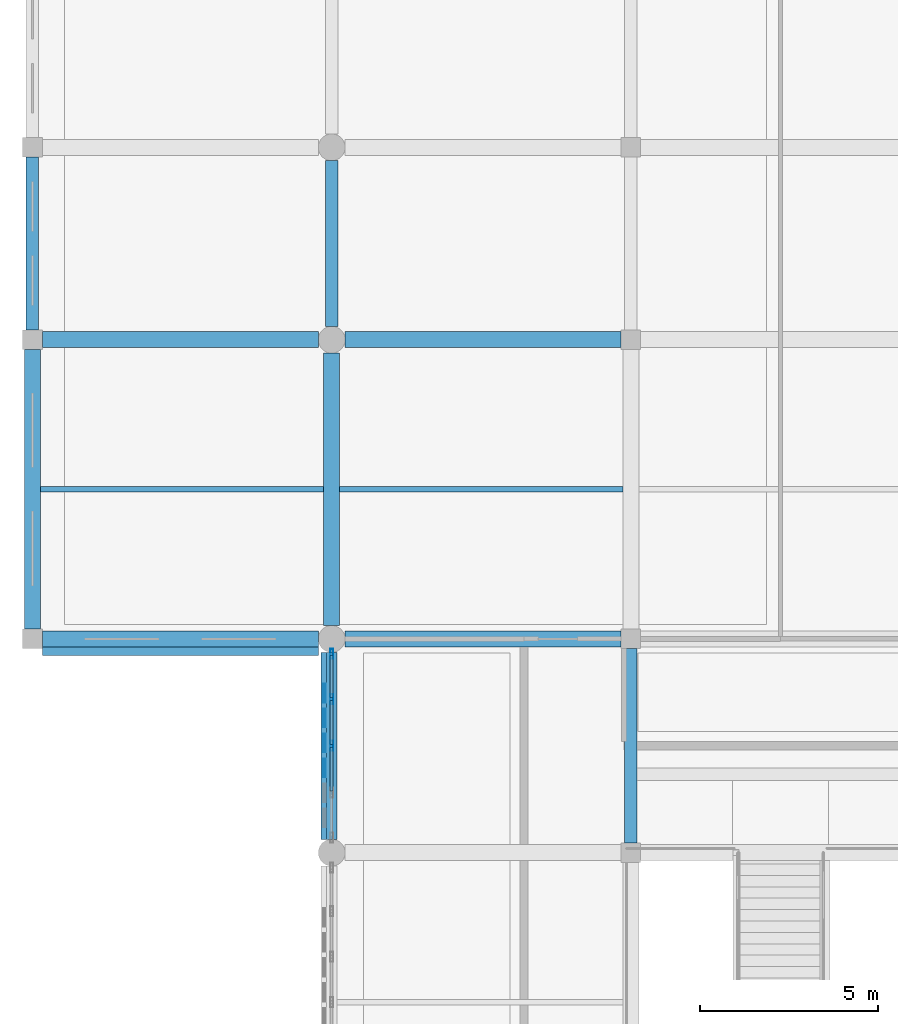
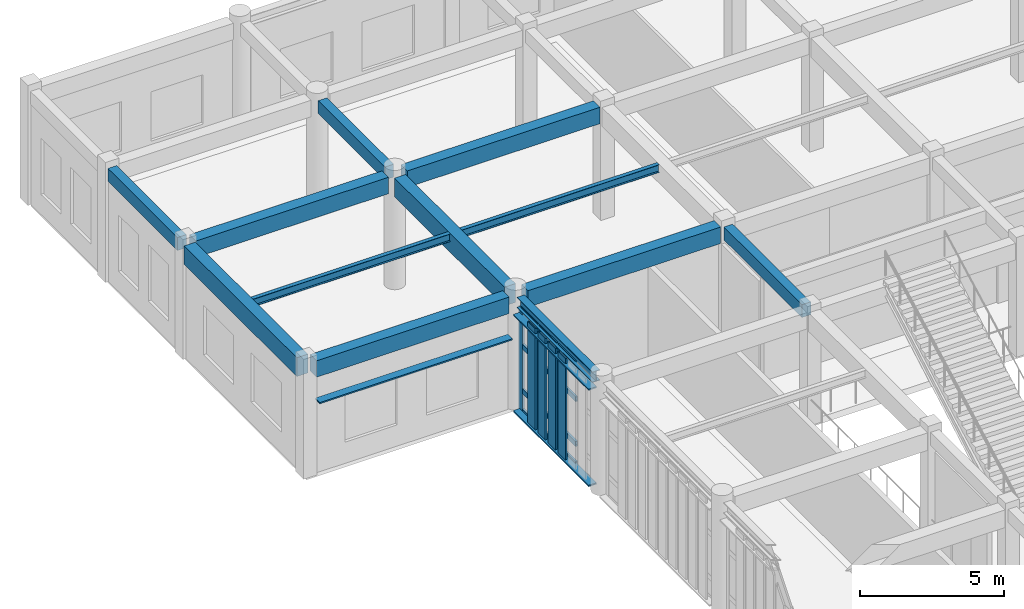
# One storey, part 37 of 106: 22 members, 12 beams, 1 element without a shape of its own.
"""IFC4 building model written with IfcOpenShell, lengths in metres."""

from ifc_helpers import new_model, si_unit, direction, frame, origin, origin_2d, place, context, subcontext, project, spatial, rectangle, hollow_rectangle, i_section, extrude, material, layer, layer_set, material_profile, profile_set, type_object, element, aggregate, save


model = new_model("IFC4")

# Units and contexts
model_context = context("Model", 3, precision=1e-05, world=origin(), true_north=direction((0.0, 1.0)))
body_context = subcontext(model_context, "Body", "Model", "MODEL_VIEW")
ifc_project = project(units=[si_unit("LENGTHUNIT", "METRE"), si_unit("AREAUNIT", "SQUARE_METRE"), si_unit("VOLUMEUNIT", "CUBIC_METRE"), si_unit("PLANEANGLEUNIT", "RADIAN"), si_unit("MASSUNIT", "GRAM", prefix="KILO")], contexts=[model_context])

# Site, building, storey
site_placement = place(None, origin())
site = spatial("IfcSite", under=ifc_project, at=site_placement, CompositionType="ELEMENT")
building_placement = place(site_placement, origin())
building = spatial("IfcBuilding", under=site, at=building_placement, Name="Krzemoval Escarpment Law Courts", CompositionType="ELEMENT")
storey_placement = place(building_placement, frame((0.0, 0.0, 5.10009765625)))
storey = spatial("IfcBuildingStorey", under=building, at=storey_placement, Name="L01", CompositionType="ELEMENT", Elevation=5.10009765625)

# Beams
ifc_material_1 = material(Name="Concrete C40/50", Category="concrete")
ifc_material_profile_1 = material_profile(ifc_material_1, rectangle(XDim=0.35009765625, YDim=0.550048828125, at=origin_2d()), Name="RCB 350x550")
ifc_profile_set_1 = profile_set([ifc_material_profile_1], Name="Concrete C40/50")
beam_type_1 = type_object("IfcBeamType", Name="BM-RC-350x550", PredefinedType="BEAM", material=ifc_profile_set_1)
beam_1_placement = place(storey_placement, frame((0.0, 108.27490234375, 4.544921875), z_axis=(0.0, 1.0, 0.0), x_axis=(-1.0, 0.0, 0.0)))
element("IfcBeam", 1, at=beam_1_placement, inside=storey, type_object=beam_type_1, Name="Beam FG-L01-1376", PredefinedType="BEAM", context=body_context, shape_type="SweptSolid", body=[
    extrude(rectangle(XDim=0.35009765625, YDim=0.550048828125, at=origin_2d()), origin(), (0.0, 0.0, 1.0), 4.85009765625),
])
beam_2_placement = place(storey_placement, frame((8.39990234375, 108.375, 4.544921875), z_axis=(0.0, 1.0, 0.0), x_axis=(-1.0, 0.0, 0.0)))
element("IfcBeam", 2, at=beam_2_placement, inside=storey, type_object=beam_type_1, Name="Beam FG-L01-1392", PredefinedType="BEAM", context=body_context, shape_type="SweptSolid", body=[
    extrude(rectangle(XDim=0.35009765625, YDim=0.550048828125, at=origin_2d()), origin(), (0.0, 0.0, 1.0), 4.64990234375),
])
beam_3_placement = place(storey_placement, frame((16.800048828125, 93.875, 4.544921875), z_axis=(0.0, 1.0, 0.0), x_axis=(-1.0, 0.0, 0.0)))
element("IfcBeam", 3, at=beam_3_placement, inside=storey, type_object=beam_type_1, Name="Beam FG-L01-1406", PredefinedType="BEAM", context=body_context, shape_type="SweptSolid", body=[
    extrude(rectangle(XDim=0.35009765625, YDim=0.550048828125, at=origin_2d()), origin(), (0.0, 0.0, 1.0), 5.449951171875),
])
ifc_material_2 = material(Name="Concrete C40/50", Category="concrete")
ifc_material_profile_2 = material_profile(ifc_material_2, rectangle(XDim=0.449951171875, YDim=0.699951171875, at=origin_2d()), Name="RCB 450x700")
ifc_profile_set_2 = profile_set([ifc_material_profile_2], Name="Concrete C40/50")
beam_type_2 = type_object("IfcBeamType", Name="BM-RC-450x700", PredefinedType="BEAM", material=ifc_profile_set_2)
for number, where, z_axis, x_axis, name in (
    (4, (0.27490234375, 99.60009765625, 4.469970703125), (1.0, 0.0, 0.0), (0.0, 1.0, 0.0), "Beam FG-L01-1299"),
    (5, (8.77490234375, 99.60009765625, 4.469970703125), (1.0, 0.0, 0.0), (0.0, 1.0, 0.0), "Beam FG-L01-1300"),
    (6, (0.27490234375, 108.0, 4.469970703125), (1.0, 0.0, 0.0), (0.0, 1.0, 0.0), "Beam FG-L01-1318"),
    (7, (8.77490234375, 108.0, 4.469970703125), (1.0, 0.0, 0.0), (0.0, 1.0, 0.0), "Beam FG-L01-1319"),
):
    element("IfcBeam", number, at=place(storey_placement, frame(where, z_axis=z_axis, x_axis=x_axis)), inside=storey, type_object=beam_type_2, Name=name, PredefinedType="BEAM", context=body_context, shape_type="SweptSolid", body=[
        extrude(rectangle(XDim=0.449951171875, YDim=0.699951171875, at=origin_2d()), origin(), (0.0, 0.0, 1.0), 7.75),
    ])
ifc_material_3 = material(Name="Concrete C40/50", Category="concrete")
ifc_material_profile_3 = material_profile(ifc_material_3, rectangle(XDim=0.449951171875, YDim=0.800048828125, at=origin_2d()), Name="RCB 450x800")
ifc_profile_set_3 = profile_set([ifc_material_profile_3], Name="Concrete C40/50")
beam_type_3 = type_object("IfcBeamType", Name="BM-RC-450x800", PredefinedType="BEAM", material=ifc_profile_set_3)
beam_4_placement = place(storey_placement, frame((0.0, 99.875, 4.419921875), z_axis=(0.0, 1.0, 0.0), x_axis=(-1.0, 0.0, 0.0)))
element("IfcBeam", 8, at=beam_4_placement, inside=storey, type_object=beam_type_3, Name="Beam FG-L01-1375", PredefinedType="BEAM", context=body_context, shape_type="SweptSolid", body=[
    extrude(rectangle(XDim=0.449951171875, YDim=0.800048828125, at=origin_2d()), origin(), (0.0, 0.0, 1.0), 7.85009765625),
])
beam_5_placement = place(storey_placement, frame((8.39990234375, 99.97509765625, 4.419921875), z_axis=(0.0, 1.0, 0.0), x_axis=(-1.0, 0.0, 0.0)))
element("IfcBeam", 9, at=beam_5_placement, inside=storey, type_object=beam_type_3, Name="Beam FG-L01-1391", PredefinedType="BEAM", context=body_context, shape_type="SweptSolid", body=[
    extrude(rectangle(XDim=0.449951171875, YDim=0.800048828125, at=origin_2d()), origin(), (0.0, 0.0, 1.0), 7.64990234375),
])

# Curtain wall, members
ifc_material_4 = material(Name="Aluminium 6063-T6", Category="aluminium")
ifc_layer = layer(ifc_material_4, 0.280029296875)
ifc_layer_set = layer_set([ifc_layer], Name="Aluminium 6063-T6")
curtain_wall_type = type_object("IfcCurtainWallType", Name="CW-HALL-5100", PredefinedType="USERDEFINED", material=ifc_layer_set)
curtain_wall_placement = place(storey_placement, origin())
curtain_wall = element("IfcCurtainWall", 10, at=curtain_wall_placement, inside=storey, type_object=curtain_wall_type, Name="Unitised Curtain Wall FCW-L01-030", ObjectType="UNITISED_CURTAIN_WALL", PredefinedType="USERDEFINED")
ifc_material_5 = material(Name="Aluminium 6063-T6", Category="aluminium")
ifc_material_profile_4 = material_profile(ifc_material_5, hollow_rectangle(XDim=0.0849609375, YDim=0.280029296875, WallThickness=0.005615234375, at=origin_2d()), Name="ALU M85x280")
ifc_profile_set_4 = profile_set([ifc_material_profile_4], Name="Aluminium 6063-T6")
member_type_1 = type_object("IfcMemberType", Name="CWM-85x280", PredefinedType="MULLION", material=ifc_profile_set_4)
member_1_placement = place(storey_placement, frame((8.39990234375, 96.60009765625, 0.0), z_axis=(0.0, 0.0, 1.0), x_axis=(-1.0, 0.0, 0.0)))
member_1 = element("IfcMember", 11, at=member_1_placement, type_object=member_type_1, Name="FCW-L01-030 mullion 3", PredefinedType="MULLION", context=body_context, shape_type="SweptSolid", body=[
    extrude(hollow_rectangle(XDim=0.0849609375, YDim=0.280029296875, WallThickness=0.005615234375, at=origin_2d()), origin(), (0.0, 0.0, 1.0), 4.369873046875),
])
member_2_placement = place(storey_placement, frame((8.39990234375, 97.91259765625, 0.0), z_axis=(0.0, 0.0, 1.0), x_axis=(-1.0, 0.0, 0.0)))
member_2 = element("IfcMember", 12, at=member_2_placement, type_object=member_type_1, Name="FCW-L01-030 mullion 4", PredefinedType="MULLION", context=body_context, shape_type="SweptSolid", body=[
    extrude(hollow_rectangle(XDim=0.0849609375, YDim=0.280029296875, WallThickness=0.005615234375, at=origin_2d()), origin(), (0.0, 0.0, 1.0), 4.369873046875),
])
member_3_placement = place(storey_placement, frame((8.39990234375, 99.1826171875, 0.0), z_axis=(0.0, 0.0, 1.0), x_axis=(-1.0, 0.0, 0.0)))
member_3 = element("IfcMember", 13, at=member_3_placement, type_object=member_type_1, Name="FCW-L01-030 mullion 5", PredefinedType="MULLION", context=body_context, shape_type="SweptSolid", body=[
    extrude(hollow_rectangle(XDim=0.0849609375, YDim=0.280029296875, WallThickness=0.005615234375, at=origin_2d()), origin(), (0.0, 0.0, 1.0), 4.369873046875),
])
ifc_material_6 = material(Name="Aluminium 6063-T6", Category="aluminium")
ifc_material_profile_5 = material_profile(ifc_material_6, hollow_rectangle(XDim=0.0849609375, YDim=0.2099609375, WallThickness=0.005615234375, at=origin_2d()), Name="ALU T85x210")
ifc_profile_set_5 = profile_set([ifc_material_profile_5], Name="Aluminium 6063-T6")
member_type_2 = type_object("IfcMemberType", Name="CWT-85x210", PredefinedType="USERDEFINED", material=ifc_profile_set_5)
member_4_placement = place(storey_placement, frame((8.39990234375, 95.330078125, 0.04248046875), z_axis=(0.0, 1.0, 0.0), x_axis=(-1.0, 0.0, 0.0)))
member_4 = element("IfcMember", 14, at=member_4_placement, type_object=member_type_2, Name="FCW-L01-030 transom 2.1", ObjectType="TRANSOM", PredefinedType="USERDEFINED", context=body_context, shape_type="SweptSolid", body=[
    extrude(hollow_rectangle(XDim=0.0849609375, YDim=0.2099609375, WallThickness=0.005615234375, at=origin_2d()), origin(), (0.0, 0.0, 1.0), 1.2275390625),
])
member_5_placement = place(storey_placement, frame((8.39990234375, 95.330078125, 0.89990234375), z_axis=(0.0, 1.0, 0.0), x_axis=(-1.0, 0.0, 0.0)))
member_5 = element("IfcMember", 15, at=member_5_placement, type_object=member_type_2, Name="FCW-L01-030 transom 2.2", ObjectType="TRANSOM", PredefinedType="USERDEFINED", context=body_context, shape_type="SweptSolid", body=[
    extrude(hollow_rectangle(XDim=0.0849609375, YDim=0.2099609375, WallThickness=0.005615234375, at=origin_2d()), origin(), (0.0, 0.0, 1.0), 1.2275390625),
])
member_6_placement = place(storey_placement, frame((8.39990234375, 95.330078125, 2.7998046875), z_axis=(0.0, 1.0, 0.0), x_axis=(-1.0, 0.0, 0.0)))
member_6 = element("IfcMember", 16, at=member_6_placement, type_object=member_type_2, Name="FCW-L01-030 transom 2.3", ObjectType="TRANSOM", PredefinedType="USERDEFINED", context=body_context, shape_type="SweptSolid", body=[
    extrude(hollow_rectangle(XDim=0.0849609375, YDim=0.2099609375, WallThickness=0.005615234375, at=origin_2d()), origin(), (0.0, 0.0, 1.0), 1.2275390625),
])
member_7_placement = place(storey_placement, frame((8.39990234375, 95.330078125, 4.327392578125), z_axis=(0.0, 1.0, 0.0), x_axis=(-1.0, 0.0, 0.0)))
member_7 = element("IfcMember", 17, at=member_7_placement, type_object=member_type_2, Name="FCW-L01-030 transom 2.4", ObjectType="TRANSOM", PredefinedType="USERDEFINED", context=body_context, shape_type="SweptSolid", body=[
    extrude(hollow_rectangle(XDim=0.0849609375, YDim=0.2099609375, WallThickness=0.005615234375, at=origin_2d()), origin(), (0.0, 0.0, 1.0), 1.2275390625),
])
member_8_placement = place(storey_placement, frame((8.39990234375, 96.642578125, 0.04248046875), z_axis=(0.0, 1.0, 0.0), x_axis=(-1.0, 0.0, 0.0)))
member_8 = element("IfcMember", 18, at=member_8_placement, type_object=member_type_2, Name="FCW-L01-030 transom 3.1", ObjectType="TRANSOM", PredefinedType="USERDEFINED", context=body_context, shape_type="SweptSolid", body=[
    extrude(hollow_rectangle(XDim=0.0849609375, YDim=0.2099609375, WallThickness=0.005615234375, at=origin_2d()), origin(), (0.0, 0.0, 1.0), 1.2275390625),
])
member_9_placement = place(storey_placement, frame((8.39990234375, 96.642578125, 0.89990234375), z_axis=(0.0, 1.0, 0.0), x_axis=(-1.0, 0.0, 0.0)))
member_9 = element("IfcMember", 19, at=member_9_placement, type_object=member_type_2, Name="FCW-L01-030 transom 3.2", ObjectType="TRANSOM", PredefinedType="USERDEFINED", context=body_context, shape_type="SweptSolid", body=[
    extrude(hollow_rectangle(XDim=0.0849609375, YDim=0.2099609375, WallThickness=0.005615234375, at=origin_2d()), origin(), (0.0, 0.0, 1.0), 1.2275390625),
])
member_10_placement = place(storey_placement, frame((8.39990234375, 96.642578125, 2.7998046875), z_axis=(0.0, 1.0, 0.0), x_axis=(-1.0, 0.0, 0.0)))
member_10 = element("IfcMember", 20, at=member_10_placement, type_object=member_type_2, Name="FCW-L01-030 transom 3.3", ObjectType="TRANSOM", PredefinedType="USERDEFINED", context=body_context, shape_type="SweptSolid", body=[
    extrude(hollow_rectangle(XDim=0.0849609375, YDim=0.2099609375, WallThickness=0.005615234375, at=origin_2d()), origin(), (0.0, 0.0, 1.0), 1.2275390625),
])
member_11_placement = place(storey_placement, frame((8.39990234375, 96.642578125, 4.327392578125), z_axis=(0.0, 1.0, 0.0), x_axis=(-1.0, 0.0, 0.0)))
member_11 = element("IfcMember", 21, at=member_11_placement, type_object=member_type_2, Name="FCW-L01-030 transom 3.4", ObjectType="TRANSOM", PredefinedType="USERDEFINED", context=body_context, shape_type="SweptSolid", body=[
    extrude(hollow_rectangle(XDim=0.0849609375, YDim=0.2099609375, WallThickness=0.005615234375, at=origin_2d()), origin(), (0.0, 0.0, 1.0), 1.2275390625),
])
member_12_placement = place(storey_placement, frame((8.39990234375, 97.955078125, 0.04248046875), z_axis=(0.0, 1.0, 0.0), x_axis=(-1.0, 0.0, 0.0)))
member_12 = element("IfcMember", 22, at=member_12_placement, type_object=member_type_2, Name="FCW-L01-030 transom 4.1", ObjectType="TRANSOM", PredefinedType="USERDEFINED", context=body_context, shape_type="SweptSolid", body=[
    extrude(hollow_rectangle(XDim=0.0849609375, YDim=0.2099609375, WallThickness=0.005615234375, at=origin_2d()), origin(), (0.0, 0.0, 1.0), 1.184814453125),
])
member_13_placement = place(storey_placement, frame((8.39990234375, 97.955078125, 0.89990234375), z_axis=(0.0, 1.0, 0.0), x_axis=(-1.0, 0.0, 0.0)))
member_13 = element("IfcMember", 23, at=member_13_placement, type_object=member_type_2, Name="FCW-L01-030 transom 4.2", ObjectType="TRANSOM", PredefinedType="USERDEFINED", context=body_context, shape_type="SweptSolid", body=[
    extrude(hollow_rectangle(XDim=0.0849609375, YDim=0.2099609375, WallThickness=0.005615234375, at=origin_2d()), origin(), (0.0, 0.0, 1.0), 1.184814453125),
])
member_14_placement = place(storey_placement, frame((8.39990234375, 97.955078125, 2.7998046875), z_axis=(0.0, 1.0, 0.0), x_axis=(-1.0, 0.0, 0.0)))
member_14 = element("IfcMember", 24, at=member_14_placement, type_object=member_type_2, Name="FCW-L01-030 transom 4.3", ObjectType="TRANSOM", PredefinedType="USERDEFINED", context=body_context, shape_type="SweptSolid", body=[
    extrude(hollow_rectangle(XDim=0.0849609375, YDim=0.2099609375, WallThickness=0.005615234375, at=origin_2d()), origin(), (0.0, 0.0, 1.0), 1.184814453125),
])
member_15_placement = place(storey_placement, frame((8.39990234375, 97.955078125, 4.327392578125), z_axis=(0.0, 1.0, 0.0), x_axis=(-1.0, 0.0, 0.0)))
member_15 = element("IfcMember", 25, at=member_15_placement, type_object=member_type_2, Name="FCW-L01-030 transom 4.4", ObjectType="TRANSOM", PredefinedType="USERDEFINED", context=body_context, shape_type="SweptSolid", body=[
    extrude(hollow_rectangle(XDim=0.0849609375, YDim=0.2099609375, WallThickness=0.005615234375, at=origin_2d()), origin(), (0.0, 0.0, 1.0), 1.184814453125),
])
aggregate(curtain_wall, [member_1, member_2, member_3, member_4, member_5, member_6, member_7, member_8, member_9, member_10, member_11, member_12, member_13, member_14, member_15])

# Beams
ifc_material_7 = material(Name="Steel S355", Category="steel")
ifc_material_profile_6 = material_profile(ifc_material_7, i_section(OverallWidth=0.159912109375, OverallDepth=0.330078125, WebThickness=0.007568359375, FlangeThickness=0.011474609375, at=origin_2d()), Name="IPE 330")
ifc_profile_set_6 = profile_set([ifc_material_profile_6], Name="Steel S355")
beam_type_4 = type_object("IfcBeamType", Name="JST-S355-IPE330", PredefinedType="JOIST", material=ifc_profile_set_6)
for number, where, z_axis, x_axis, name in (
    (26, (0.22509765625, 103.800048828125, 4.65478515625), (1.0, 0.0, 0.0), (0.0, 1.0, 0.0), "Secondary Joist FJ-L01-1600"),
    (27, (8.625, 103.800048828125, 4.65478515625), (1.0, 0.0, 0.0), (0.0, 1.0, 0.0), "Secondary Joist FJ-L01-1610"),
):
    element("IfcBeam", number, at=place(storey_placement, frame(where, z_axis=z_axis, x_axis=x_axis)), inside=storey, type_object=beam_type_4, Name=name, PredefinedType="JOIST", context=body_context, shape_type="SweptSolid", body=[
        extrude(i_section(OverallWidth=0.159912109375, OverallDepth=0.330078125, WebThickness=0.007568359375, FlangeThickness=0.011474609375, at=origin_2d()), origin(), (0.0, 0.0, 1.0), 7.949951171875),
    ])

# Members
ifc_material_8 = material(Name="Anodised Aluminium Alloy 6063-T6", Category="aluminium")
ifc_material_profile_7 = material_profile(ifc_material_8, hollow_rectangle(XDim=0.06005859375, YDim=0.320068359375, WallThickness=0.00390625, at=origin_2d()), Name="ALU LVR 60x320")
ifc_profile_set_7 = profile_set([ifc_material_profile_7], Name="Anodised Aluminium Alloy 6063-T6")
member_type_3 = type_object("IfcMemberType", Name="LVR-ALU-320", PredefinedType="USERDEFINED", material=ifc_profile_set_7)
for number, where, z_axis, x_axis, name in (
    (28, (8.260009765625, 93.97509765625, 0.02978515625), (0.0, 1.0, 0.0), (0.0, 0.0, 1.0), "Sunshade Support Rail FSR-L01-0077"),
    (29, (8.260009765625, 93.97509765625, 4.119873046875), (0.0, 1.0, 0.0), (0.0, 0.0, 1.0), "Sunshade Support Rail FSR-L01-0078"),
):
    element("IfcMember", number, at=place(storey_placement, frame(where, z_axis=z_axis, x_axis=x_axis)), inside=storey, type_object=member_type_3, Name=name, ObjectType="SUNSHADE_LOUVRE", PredefinedType="USERDEFINED", context=body_context, shape_type="SweptSolid", body=[
        extrude(hollow_rectangle(XDim=0.06005859375, YDim=0.320068359375, WallThickness=0.00390625, at=origin_2d()), origin(), (0.0, 0.0, 1.0), 5.25),
    ])
member_16_placement = place(storey_placement, frame((8.02490234375, 99.300048828125, 3.159912109375), z_axis=(-1.0, 0.0, 0.0), x_axis=(0.0, 0.0, 1.0)))
element("IfcMember", 30, at=member_16_placement, inside=storey, type_object=member_type_3, Name="Window Sunshade Louvre FLV-L01-0085", ObjectType="SUNSHADE_LOUVRE", PredefinedType="USERDEFINED", context=body_context, shape_type="SweptSolid", body=[
    extrude(hollow_rectangle(XDim=0.06005859375, YDim=0.320068359375, WallThickness=0.00390625, at=origin_2d()), origin(), (0.0, 0.0, 1.0), 7.75),
])
ifc_material_9 = material(Name="Anodised Aluminium Alloy 6063-T6", Category="aluminium")
ifc_material_profile_8 = material_profile(ifc_material_9, hollow_rectangle(XDim=0.06494140625, YDim=0.52001953125, WallThickness=0.00439453125, at=origin_2d()), Name="ALU LVR 65x520")
ifc_profile_set_8 = profile_set([ifc_material_profile_8], Name="Anodised Aluminium Alloy 6063-T6")
member_type_4 = type_object("IfcMemberType", Name="LVR-ALU-520", PredefinedType="USERDEFINED", material=ifc_profile_set_8)
for number, where, z_axis, x_axis, name in (
    (31, (8.199951171875, 95.97509765625, 0.059814453125), (0.0, 0.0, 1.0), (1.0, 0.0, 0.0), "Sunshade Louvre Fin FLV-L01-0081"),
    (32, (8.199951171875, 96.675048828125, 0.059814453125), (0.0, 0.0, 1.0), (1.0, 0.0, 0.0), "Sunshade Louvre Fin FLV-L01-0082"),
    (33, (8.199951171875, 97.375, 0.059814453125), (0.0, 0.0, 1.0), (1.0, 0.0, 0.0), "Sunshade Louvre Fin FLV-L01-0083"),
    (34, (8.199951171875, 98.074951171875, 0.059814453125), (0.0, 0.0, 1.0), (1.0, 0.0, 0.0), "Sunshade Louvre Fin FLV-L01-0084"),
):
    element("IfcMember", number, at=place(storey_placement, frame(where, z_axis=z_axis, x_axis=x_axis)), inside=storey, type_object=member_type_4, Name=name, ObjectType="SUNSHADE_LOUVRE", PredefinedType="USERDEFINED", context=body_context, shape_type="SweptSolid", body=[
        extrude(hollow_rectangle(XDim=0.06494140625, YDim=0.52001953125, WallThickness=0.00439453125, at=origin_2d()), origin(), (0.0, 0.0, 1.0), 4.31005859375),
    ])

# Beam
ifc_material_10 = material(Name="Steel S355", Category="steel")
ifc_material_profile_9 = material_profile(ifc_material_10, i_section(OverallWidth=0.300048828125, OverallDepth=0.449951171875, WebThickness=0.013916015625, FlangeThickness=0.02587890625, at=origin_2d()), Name="HEB 450")
ifc_profile_set_9 = profile_set([ifc_material_profile_9], Name="Steel S355")
beam_type_5 = type_object("IfcBeamType", Name="SPN-S355-HEB450", PredefinedType="SPANDREL", material=ifc_profile_set_9)
beam_6_placement = place(storey_placement, frame((8.39990234375, 93.97509765625, 4.594970703125), z_axis=(0.0, 1.0, 0.0), x_axis=(-1.0, 0.0, 0.0)))
element("IfcBeam", 35, at=beam_6_placement, inside=storey, type_object=beam_type_5, Name="Beam FG-L01-1390", PredefinedType="SPANDREL", context=body_context, shape_type="SweptSolid", body=[
    extrude(i_section(OverallWidth=0.300048828125, OverallDepth=0.449951171875, WebThickness=0.013916015625, FlangeThickness=0.02587890625, at=origin_2d()), origin(), (0.0, 0.0, 1.0), 5.25),
])

save(model, "model.ifc")
